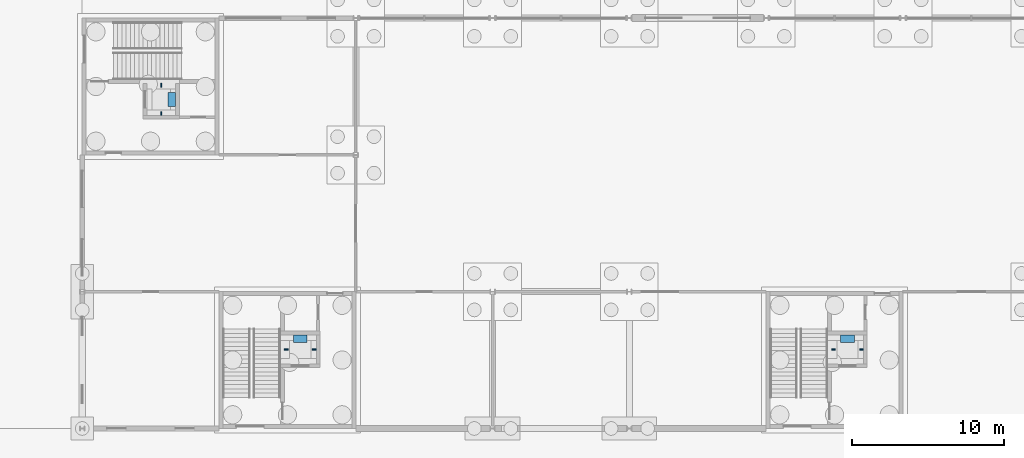
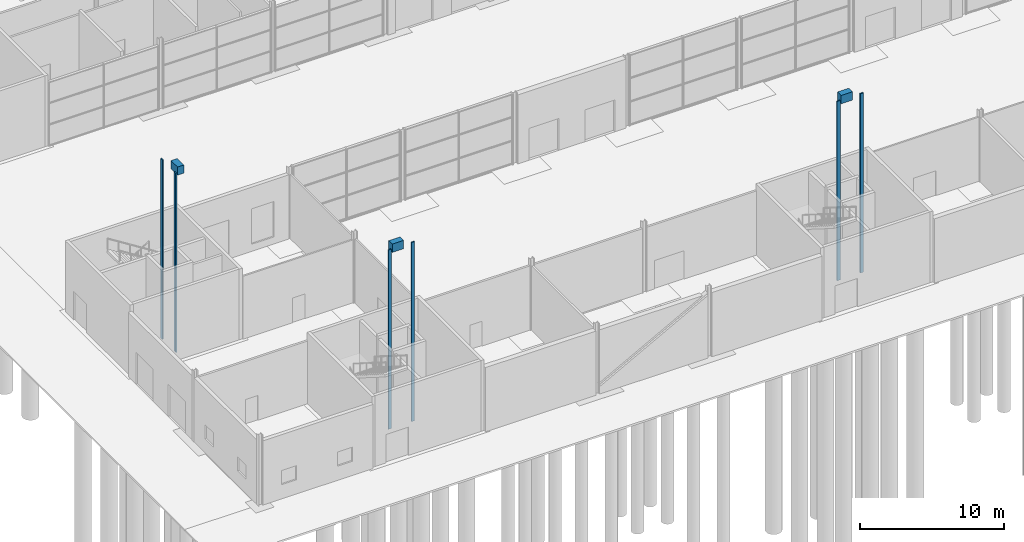
# One storey, part 84 of 97: 9 discrete accessories.
"""IFC4 building model written with IfcOpenShell, lengths in metres."""

from ifc_helpers import new_model, si_unit, direction, frame, origin, origin_2d, place, context, subcontext, project, spatial, rectangle, extrude, material, type_object, element, save


model = new_model("IFC4")

# Units and contexts
model_context = context("Model", 3, precision=1e-05, world=origin(), true_north=direction((0.0, 1.0)))
body_context = subcontext(model_context, "Body", "Model", "MODEL_VIEW")
ifc_project = project(units=[si_unit("LENGTHUNIT", "METRE"), si_unit("AREAUNIT", "SQUARE_METRE"), si_unit("VOLUMEUNIT", "CUBIC_METRE"), si_unit("PLANEANGLEUNIT", "RADIAN"), si_unit("MASSUNIT", "GRAM", prefix="KILO")], contexts=[model_context])

# Site, building, storey
site_placement = place(None, origin())
site = spatial("IfcSite", under=ifc_project, at=site_placement, CompositionType="ELEMENT")
building_placement = place(site_placement, origin())
building = spatial("IfcBuilding", under=site, at=building_placement, Name="Corbel Yard City Hall", CompositionType="ELEMENT")
storey_placement = place(building_placement, origin())
storey = spatial("IfcBuildingStorey", under=building, at=storey_placement, Name="L00", CompositionType="ELEMENT", Elevation=0.0)

# Discrete accessories
ifc_material = material(Name="Steel Grade G250", Category="steel")
discrete_accessory_type_1 = type_object("IfcDiscreteAccessoryType", Name="LM1", PredefinedType="USERDEFINED", material=ifc_material)
for number, where, z_axis, x_axis, name in (
    (1, (14.35009765625, 5.89990234375, 13.10009765625), (0.0, 0.0, 1.0), (1.0, 0.0, 0.0), "Lift LP1 drive machine"),
    (2, (50.35009765625, 5.89990234375, 13.10009765625), (0.0, 0.0, 1.0), (1.0, 0.0, 0.0), "Lift LP2 drive machine"),
):
    element("IfcDiscreteAccessory", number, at=place(storey_placement, frame(where, z_axis=z_axis, x_axis=x_axis)), inside=storey, type_object=discrete_accessory_type_1, Name=name, ObjectType="LIFT MACHINE", PredefinedType="USERDEFINED", context=body_context, shape_type="SweptSolid", body=[
        extrude(rectangle(XDim=0.89990234375, YDim=0.5, at=origin_2d()), origin(), (0.0, 0.0, 1.0), 0.699951171875),
    ])
discrete_accessory_placement = place(storey_placement, frame((5.89990234375, 21.64990234375, 13.10009765625), z_axis=(0.0, 0.0, 1.0), x_axis=(1.0, 0.0, 0.0)))
element("IfcDiscreteAccessory", 3, at=discrete_accessory_placement, inside=storey, type_object=discrete_accessory_type_1, Name="Lift LP6 drive machine", ObjectType="LIFT MACHINE", PredefinedType="USERDEFINED", context=body_context, shape_type="SweptSolid", body=[
    extrude(rectangle(XDim=0.5, YDim=0.89990234375, at=origin_2d()), origin(), (0.0, 0.0, 1.0), 0.699951171875),
])
discrete_accessory_type_2 = type_object("IfcDiscreteAccessoryType", Name="LR1", PredefinedType="USERDEFINED", material=ifc_material)
for number, where, z_axis, x_axis, name in (
    (4, (13.425048828125, 5.199951171875, -1.39990234375), (0.0, 0.0, 1.0), (1.0, 0.0, 0.0), "Lift LP1 guide rail 1"),
    (5, (15.27490234375, 5.199951171875, -1.39990234375), (0.0, 0.0, 1.0), (1.0, 0.0, 0.0), "Lift LP1 guide rail 2"),
    (6, (49.425048828125, 5.199951171875, -1.39990234375), (0.0, 0.0, 1.0), (1.0, 0.0, 0.0), "Lift LP2 guide rail 1"),
    (7, (51.27490234375, 5.199951171875, -1.39990234375), (0.0, 0.0, 1.0), (1.0, 0.0, 0.0), "Lift LP2 guide rail 2"),
):
    element("IfcDiscreteAccessory", number, at=place(storey_placement, frame(where, z_axis=z_axis, x_axis=x_axis)), inside=storey, type_object=discrete_accessory_type_2, Name=name, ObjectType="GUIDE RAIL", PredefinedType="USERDEFINED", context=body_context, shape_type="SweptSolid", body=[
        extrude(rectangle(XDim=0.25, YDim=0.090087890625, at=origin_2d()), origin(), (0.0, 0.0, 1.0), 15.199951171875),
    ])
for number, where, z_axis, x_axis, name in (
    (8, (5.199951171875, 20.72509765625, -1.39990234375), (0.0, 0.0, 1.0), (1.0, 0.0, 0.0), "Lift LP6 guide rail 1"),
    (9, (5.199951171875, 22.574951171875, -1.39990234375), (0.0, 0.0, 1.0), (1.0, 0.0, 0.0), "Lift LP6 guide rail 2"),
):
    element("IfcDiscreteAccessory", number, at=place(storey_placement, frame(where, z_axis=z_axis, x_axis=x_axis)), inside=storey, type_object=discrete_accessory_type_2, Name=name, ObjectType="GUIDE RAIL", PredefinedType="USERDEFINED", context=body_context, shape_type="SweptSolid", body=[
        extrude(rectangle(XDim=0.090087890625, YDim=0.25, at=origin_2d()), origin(), (0.0, 0.0, 1.0), 15.199951171875),
    ])

save(model, "model.ifc")
